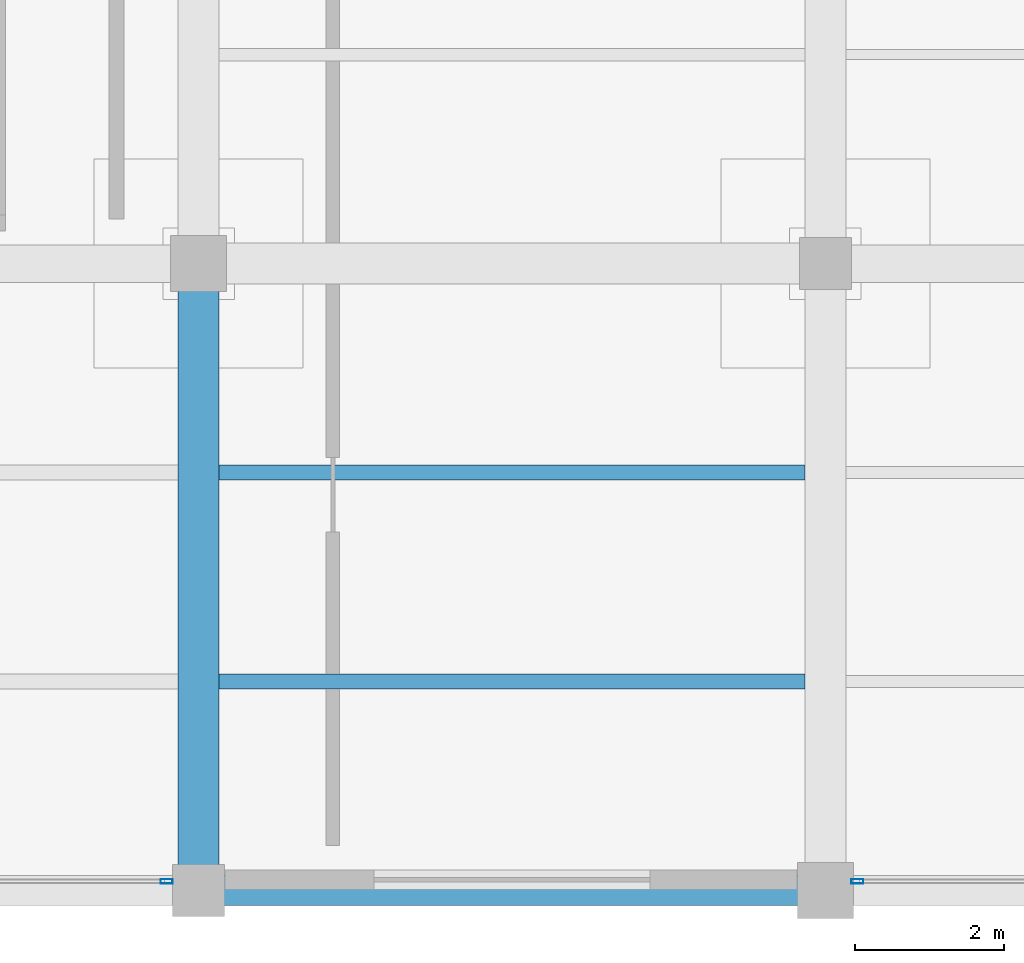
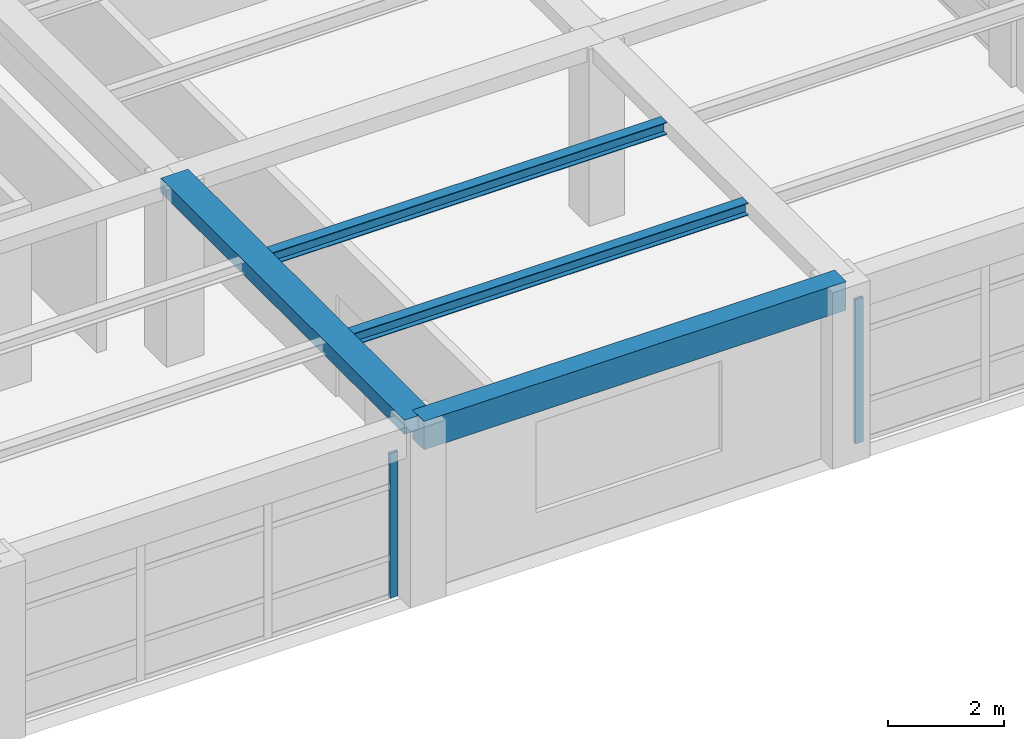
# One storey, part 12 of 31: 4 beams, 2 members, 2 elements without a shape of their own.
"""IFC4 building model written with IfcOpenShell, lengths in metres."""

import ifcopenshell
import ifcopenshell.guid

model = None  # the IFC model being written
_history = None  # IfcOwnerHistory: only IFC2X3 demands one
_inside = {}  # id of a spatial element -> (the spatial element, [elements in it])
_under = {}  # id of a project, library or spatial element -> (it, [spatial elements below it])
_declared = {}  # id of a project -> (the project, [libraries it declares])
_typed = {}  # id of a type object -> (the type object, [elements of that type])
_made_of = {}  # id of a material, layer set ... -> (it, [elements and type objects made of it])


def new_model(schema):
    """Start an empty IFC model of exactly this schema.

    Asked for "IFC4X3", IfcOpenShell would pick the latest addendum, in which some entities
    have other attributes; the version numbers below select the first issue.
    IFC2X3 requires an IfcOwnerHistory on every rooted entity: one is made here for all.
    """
    global model, _history
    if schema == "IFC4X3":
        model = ifcopenshell.file(schema_version=(4, 3, 0, 0))
    else:
        model = ifcopenshell.file(schema=schema)
    _inside.clear()
    _under.clear()
    _declared.clear()
    _typed.clear()
    _made_of.clear()
    _history = None
    if model.schema == "IFC2X3":
        org = make("IfcOrganization", Name="unknown")
        user = make(
            "IfcPersonAndOrganization",
            ThePerson=make("IfcPerson", FamilyName="unknown"),
            TheOrganization=org,
        )
        app = make(
            "IfcApplication",
            ApplicationDeveloper=org,
            Version="unknown",
            ApplicationFullName="unknown",
            ApplicationIdentifier="unknown",
        )
        _history = make(
            "IfcOwnerHistory",
            OwningUser=user,
            OwningApplication=app,
            ChangeAction="ADDED",
            CreationDate=0,
        )
    return model


def make(cls, **values):
    """One entity of the class cls with the attributes given. An attribute that is None is left unset."""
    return model.create_entity(
        cls, **{name: value for name, value in values.items() if value is not None}
    )


def rooted(cls, **values):
    """An entity with a GlobalId (a new one), such as an element, a storey or a relation."""
    return make(cls, GlobalId=ifcopenshell.guid.new(), OwnerHistory=_history, **values)


def si_unit(unit_type, name, prefix=None):
    """IfcSIUnit, for example si_unit("LENGTHUNIT", "METRE", prefix="MILLI")."""
    return make("IfcSIUnit", UnitType=unit_type, Prefix=prefix, Name=name)


def assignment(units):
    """IfcUnitAssignment: the units of a project."""
    return None if units is None else make("IfcUnitAssignment", Units=units)


def point(xyz):
    """IfcCartesianPoint."""
    return None if xyz is None else make("IfcCartesianPoint", Coordinates=xyz)


def direction(xyz):
    """IfcDirection."""
    return None if xyz is None else make("IfcDirection", DirectionRatios=xyz)


def frame(location, z_axis=None, x_axis=None):
    """IfcAxis2Placement3D, a coordinate frame: its origin and axes. An axis left out is left unset."""
    return make(
        "IfcAxis2Placement3D",
        Location=point(location),
        Axis=direction(z_axis),
        RefDirection=direction(x_axis),
    )


def frame_2d(location, x_axis=None):
    """IfcAxis2Placement2D, a coordinate frame in the plane: its origin and x axis."""
    return make(
        "IfcAxis2Placement2D", Location=point(location), RefDirection=direction(x_axis)
    )


def origin():
    """The frame at (0, 0, 0) with its axes left unset."""
    return frame((0.0, 0.0, 0.0))


def origin_2d():
    """The frame at (0, 0) in the plane with its x axis left unset."""
    return frame_2d((0.0, 0.0))


def place(relative_to, where):
    """IfcLocalPlacement: puts the frame where relative to a parent placement (None: the world)."""
    return make(
        "IfcLocalPlacement", PlacementRelTo=relative_to, RelativePlacement=where
    )


def context(
    kind, dimensions, precision=None, world=None, true_north=None, identifier=None
):
    """IfcGeometricRepresentationContext, for example the 3D "Model" context."""
    return make(
        "IfcGeometricRepresentationContext",
        ContextIdentifier=identifier,
        ContextType=kind,
        CoordinateSpaceDimension=dimensions,
        Precision=precision,
        WorldCoordinateSystem=world,
        TrueNorth=true_north,
    )


def subcontext(parent, identifier, kind, view, scale=None):
    """IfcGeometricRepresentationSubContext, for example "Body" below "Model"."""
    return make(
        "IfcGeometricRepresentationSubContext",
        ContextIdentifier=identifier,
        ContextType=kind,
        ParentContext=parent,
        TargetScale=scale,
        TargetView=view,
    )


def project(units=None, contexts=None):
    """IfcProject with its units and contexts."""
    return rooted(
        "IfcProject",
        Name="project",
        RepresentationContexts=contexts,
        UnitsInContext=assignment(units),
    )


def spatial(cls, under=None, at=None, **own):
    """A site, building, storey or space (cls), placed at a placement, below another one or the project."""
    s = rooted(cls, ObjectPlacement=at, **own)
    if under is not None:
        _under.setdefault(under.id(), (under, []))[1].append(s)
    return s


def profile(cls, at=None, kind="AREA", **sizes):
    """A parametric profile (cls). Its sizes go by their IFC names, for example OverallWidth=200.0."""
    return make(cls, ProfileType=kind, Position=at, **sizes)


def rectangle(**sizes):
    """IfcRectangleProfileDef."""
    return profile("IfcRectangleProfileDef", **sizes)


def hollow_rectangle(**sizes):
    """IfcRectangleHollowProfileDef."""
    return profile("IfcRectangleHollowProfileDef", **sizes)


def i_section(**sizes):
    """IfcIShapeProfileDef."""
    return profile("IfcIShapeProfileDef", **sizes)


def extrude(swept, where, along, depth):
    """IfcExtrudedAreaSolid: the profile swept, set in the frame where, extruded along a direction by depth."""
    return make(
        "IfcExtrudedAreaSolid",
        SweptArea=swept,
        Position=where,
        ExtrudedDirection=direction(along),
        Depth=depth,
    )


def shape(context_of_items, identifier, shape_type, items):
    """IfcShapeRepresentation: the items that make up one representation, for example the "Body"."""
    return make(
        "IfcShapeRepresentation",
        ContextOfItems=context_of_items,
        RepresentationIdentifier=identifier,
        RepresentationType=shape_type,
        Items=items,
    )


def material(Name=None, Category=None):
    """IfcMaterial."""
    return make("IfcMaterial", Name=Name, Category=Category)


def material_profile(
    of_material, cross_section, Name=None, Category=None, Priority=None
):
    """IfcMaterialProfile: a cross section and its material."""
    return make(
        "IfcMaterialProfile",
        Name=Name,
        Material=of_material,
        Profile=cross_section,
        Priority=Priority,
        Category=Category,
    )


def profile_set(profiles, Name=None, composite=None):
    """IfcMaterialProfileSet."""
    return make(
        "IfcMaterialProfileSet",
        Name=Name,
        MaterialProfiles=profiles,
        CompositeProfile=composite,
    )


def made_of(thing, what):
    """Note that an element or type object is made of a material, layer set ...; save() writes the relation."""
    if what is not None:
        _made_of.setdefault(what.id(), (what, []))[1].append(thing)
    return thing


def type_object(cls, material=None, **own):
    """A type object (cls), such as IfcWallType, which elements share."""
    return made_of(rooted(cls, **own), material)


def element(
    cls,
    number,
    at=None,
    inside=None,
    cuts=None,
    type_object=None,
    material=None,
    context=None,
    identifier="Body",
    shape_type=None,
    held_by="IfcProductDefinitionShape",
    body=None,
    shapes=None,
    **own,
):
    """One element of the class cls, such as IfcWall. Its Tag is "e" and its number.

    at: its placement. inside: the storey or other place that contains it. cuts: it is an
    opening in that element (IfcRelVoidsElement). A single representation is given by context,
    identifier, shape_type and body (its items); several are given by shapes. held_by: the class
    of the entity that holds the representations. save() writes the other relations.
    """
    e = rooted(cls, Tag="e%d" % number, ObjectPlacement=at, **own)
    if body is not None:
        shapes = [shape(context, identifier, shape_type, body)]
    if shapes is not None:
        e.Representation = make(held_by, Representations=shapes)
    if inside is not None:
        _inside.setdefault(inside.id(), (inside, []))[1].append(e)
    if cuts is not None:
        rooted(
            "IfcRelVoidsElement", RelatingBuildingElement=cuts, RelatedOpeningElement=e
        )
    if type_object is not None:
        _typed.setdefault(type_object.id(), (type_object, []))[1].append(e)
    return made_of(e, material)


def aggregate(whole, parts):
    """IfcRelAggregates: a whole, such as a stair, and the parts it consists of."""
    return rooted("IfcRelAggregates", RelatingObject=whole, RelatedObjects=parts)


def save(model, path):
    """Write the relations noted so far, then the file.

    IfcRelAggregates (storeys below a building ...), IfcRelContainedInSpatialStructure (elements
    in a storey), IfcRelDefinesByType, IfcRelAssociatesMaterial and IfcRelDeclares: one each for
    every whole, place, type object, material and project.
    """
    for whole, parts in _under.values():
        aggregate(whole, parts)
    for where, things in _inside.values():
        rooted(
            "IfcRelContainedInSpatialStructure",
            RelatedElements=things,
            RelatingStructure=where,
        )
    for kind, things in _typed.values():
        rooted("IfcRelDefinesByType", RelatedObjects=things, RelatingType=kind)
    for what, things in _made_of.values():
        rooted("IfcRelAssociatesMaterial", RelatedObjects=things, RelatingMaterial=what)
    for by, libraries in _declared.values():
        rooted("IfcRelDeclares", RelatingContext=by, RelatedDefinitions=libraries)
    model.write(path)


model = new_model("IFC4")

# Units and contexts
model_context = context("Model", 3, precision=1e-05, world=origin(), true_north=direction((0.0, 1.0)))
body_context = subcontext(model_context, "Body", "Model", "MODEL_VIEW")
ifc_project = project(units=[si_unit("LENGTHUNIT", "METRE"), si_unit("AREAUNIT", "SQUARE_METRE"), si_unit("VOLUMEUNIT", "CUBIC_METRE"), si_unit("PLANEANGLEUNIT", "RADIAN"), si_unit("MASSUNIT", "GRAM", prefix="KILO")], contexts=[model_context])

# Site, building, storey
site_placement = place(None, origin())
site = spatial("IfcSite", under=ifc_project, at=site_placement, CompositionType="ELEMENT")
building_placement = place(site_placement, origin())
building = spatial("IfcBuilding", under=site, at=building_placement, Name="Almacenes y Pasaje Nevantli", CompositionType="ELEMENT")
storey_placement = place(building_placement, frame((0.0, 0.0, 34.699951171875)))
storey = spatial("IfcBuildingStorey", under=building, at=storey_placement, Name="L08", CompositionType="ELEMENT", Elevation=34.699951171875)

# Beams
ifc_material_1 = material(Name="Concrete C35/45", Category="concrete")
ifc_material_profile_1 = material_profile(ifc_material_1, rectangle(XDim=0.39990234375, YDim=0.60009765625, at=origin_2d()), Name="RC-BM-400x600")
ifc_profile_set_1 = profile_set([ifc_material_profile_1], Name="Concrete C35/45")
beam_type_1 = type_object("IfcBeamType", Name="BM-RC-400x600", PredefinedType="SPANDREL", material=ifc_profile_set_1)
beam_1_placement = place(storey_placement, frame((142.800048828125, 67.199951171875, 3.420166015625), z_axis=(1.0, 0.0, 0.0), x_axis=(0.0, 1.0, 0.0)))
element("IfcBeam", 1, at=beam_1_placement, inside=storey, type_object=beam_type_1, Name="L08 East-West Reinforced Concrete Beam #3689", PredefinedType="SPANDREL", context=body_context, shape_type="SweptSolid", body=[
    extrude(rectangle(XDim=0.39990234375, YDim=0.60009765625, at=origin_2d()), origin(), (0.0, 0.0, 1.0), 8.39990234375),
])
ifc_material_2 = material(Name="Concrete C35/45", Category="concrete")
ifc_material_profile_2 = material_profile(ifc_material_2, rectangle(XDim=0.550048828125, YDim=0.300048828125, at=origin_2d()), Name="RC-BM-550x300")
ifc_profile_set_2 = profile_set([ifc_material_profile_2], Name="Concrete C35/45")
beam_type_2 = type_object("IfcBeamType", Name="BM-RC-550x300", PredefinedType="BEAM", material=ifc_profile_set_2)
beam_2_placement = place(storey_placement, frame((142.800048828125, 67.199951171875, 3.570068359375), z_axis=(0.0, 1.0, 0.0), x_axis=(-1.0, 0.0, 0.0)))
element("IfcBeam", 2, at=beam_2_placement, inside=storey, type_object=beam_type_2, Name="L08 North-South Reinforced Concrete Beam #3729", PredefinedType="BEAM", context=body_context, shape_type="SweptSolid", body=[
    extrude(rectangle(XDim=0.550048828125, YDim=0.300048828125, at=origin_2d()), origin(), (0.0, 0.0, 1.0), 8.400146484375),
])
ifc_material_3 = material(Name="Steel ASTM A992", Category="steel")
ifc_material_profile_3 = material_profile(ifc_material_3, i_section(OverallWidth=0.2041015625, OverallDepth=0.258056640625, WebThickness=0.008056640625, FlangeThickness=0.013427734375, at=origin_2d()), Name="IR 254x58.0")
ifc_profile_set_3 = profile_set([ifc_material_profile_3], Name="Steel ASTM A992")
beam_type_3 = type_object("IfcBeamType", Name="BM-STL-IR-254x58p0", PredefinedType="JOIST", material=ifc_profile_set_3)
for number, where, z_axis, x_axis, name in (
    (3, (143.074951171875, 70.0, 3.5830078125), (1.0, 0.0, 0.0), (0.0, 1.0, 0.0), "L08 Secondary Steel Floor Joist #1439"),
    (4, (143.074951171875, 72.800048828125, 3.5830078125), (1.0, 0.0, 0.0), (0.0, 1.0, 0.0), "L08 Secondary Steel Floor Joist #1440"),
):
    element("IfcBeam", number, at=place(storey_placement, frame(where, z_axis=z_axis, x_axis=x_axis)), inside=storey, type_object=beam_type_3, Name=name, PredefinedType="JOIST", context=body_context, shape_type="SweptSolid", body=[
        extrude(i_section(OverallWidth=0.2041015625, OverallDepth=0.258056640625, WebThickness=0.008056640625, FlangeThickness=0.013427734375, at=origin_2d()), origin(), (0.0, 0.0, 1.0), 7.85009765625),
    ])

# Curtain wall, member
ifc_material_4 = material(Name="Thermally Broken Aluminium and Low-E Glass", Category="aluminium")
curtain_wall_type = type_object("IfcCurtainWallType", Name="CW-UNIT-TOWER", PredefinedType="USERDEFINED", material=ifc_material_4)
curtain_wall_1_placement = place(storey_placement, origin())
curtain_wall_1 = element("IfcCurtainWall", 5, at=curtain_wall_1_placement, inside=storey, type_object=curtain_wall_type, Name="L08 Tower South Unitized Curtain Wall Bay 17", ObjectType="UNITIZED CURTAIN WALL", PredefinedType="USERDEFINED")
ifc_material_5 = material(Name="Thermally Broken Anodized Aluminium", Category="aluminium")
ifc_material_profile_4 = material_profile(ifc_material_5, hollow_rectangle(XDim=0.06005859375, YDim=0.159912109375, WallThickness=0.00390625, at=origin_2d()), Name="ALU-MUL-60x160")
ifc_profile_set_4 = profile_set([ifc_material_profile_4], Name="Thermally Broken Anodized Aluminium")
member_type = type_object("IfcMemberType", Name="CW-MUL-180", PredefinedType="MULLION", material=ifc_profile_set_4)
member_1_placement = place(storey_placement, frame((142.3701171875, 67.320068359375, 0.0), z_axis=(0.0, 0.0, 1.0), x_axis=(0.0, 1.0, 0.0)))
member_1 = element("IfcMember", 6, at=member_1_placement, type_object=member_type, Name="CW-L08-124 mullion 4", PredefinedType="MULLION", context=body_context, shape_type="SweptSolid", body=[
    extrude(hollow_rectangle(XDim=0.06005859375, YDim=0.159912109375, WallThickness=0.00390625, at=origin_2d()), origin(), (0.0, 0.0, 1.0), 3.0400390625),
])
aggregate(curtain_wall_1, [member_1])

curtain_wall_2_placement = place(storey_placement, origin())
curtain_wall_2 = element("IfcCurtainWall", 7, at=curtain_wall_2_placement, inside=storey, type_object=curtain_wall_type, Name="L08 Tower South Unitized Curtain Wall Bay 19", ObjectType="UNITIZED CURTAIN WALL", PredefinedType="USERDEFINED")
member_2_placement = place(storey_placement, frame((151.6298828125, 67.320068359375, 0.0), z_axis=(0.0, 0.0, 1.0), x_axis=(0.0, 1.0, 0.0)))
member_2 = element("IfcMember", 8, at=member_2_placement, type_object=member_type, Name="CW-L08-126 mullion 1", PredefinedType="MULLION", context=body_context, shape_type="SweptSolid", body=[
    extrude(hollow_rectangle(XDim=0.06005859375, YDim=0.159912109375, WallThickness=0.00390625, at=origin_2d()), origin(), (0.0, 0.0, 1.0), 3.0400390625),
])
aggregate(curtain_wall_2, [member_2])

save(model, "model.ifc")
